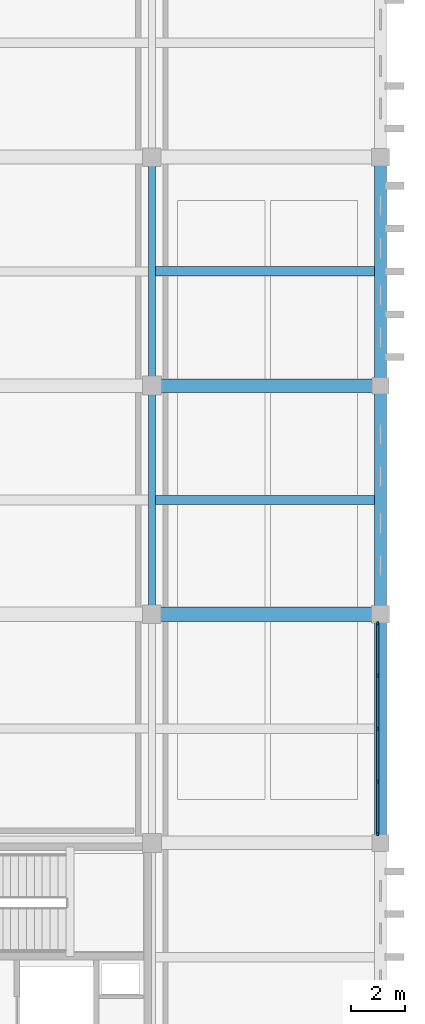
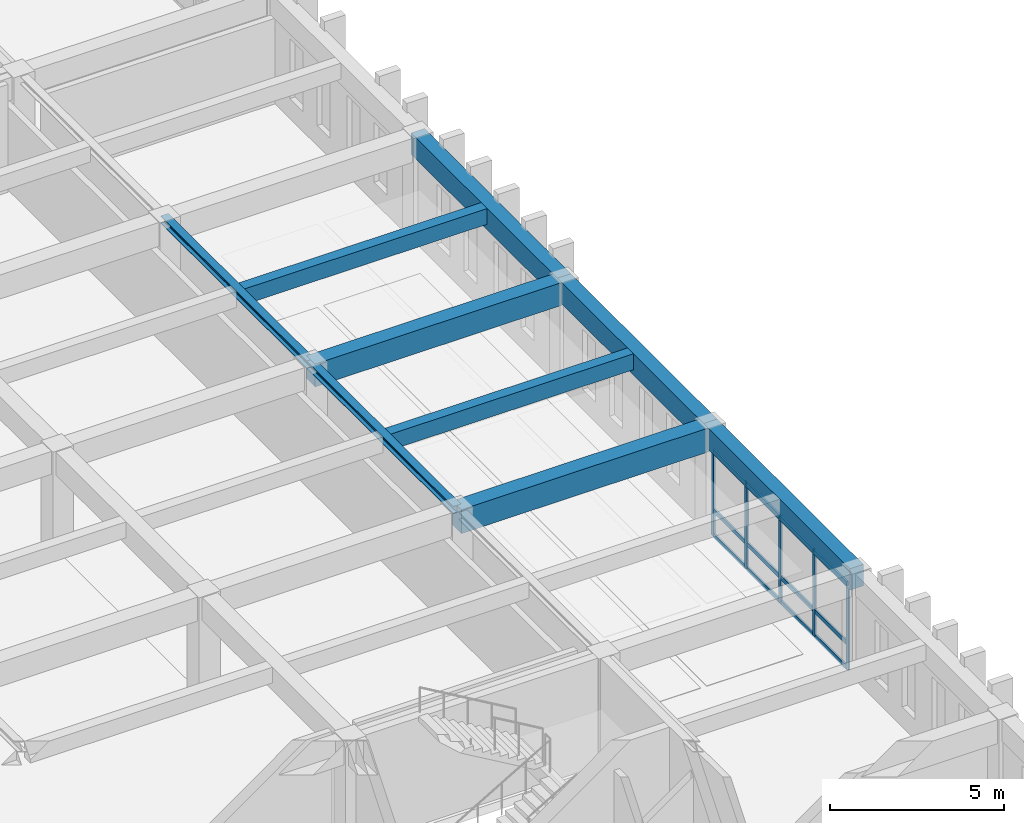
# One storey, part 48 of 110: 17 members, 9 beams, 1 element without a shape of its own.
"""IFC4 building model written with IfcOpenShell, lengths in metres."""

from ifc_helpers import new_model, si_unit, direction, frame, origin, origin_2d, place, context, subcontext, project, spatial, rectangle, i_section, extrude, material, layer, layer_set, material_profile, profile_set, type_object, element, aggregate, save


model = new_model("IFC4")

# Units and contexts
model_context = context("Model", 3, precision=1e-05, world=origin(), true_north=direction((0.0, 1.0)))
body_context = subcontext(model_context, "Body", "Model", "MODEL_VIEW")
ifc_project = project(units=[si_unit("LENGTHUNIT", "METRE"), si_unit("AREAUNIT", "SQUARE_METRE"), si_unit("VOLUMEUNIT", "CUBIC_METRE"), si_unit("PLANEANGLEUNIT", "RADIAN"), si_unit("MASSUNIT", "GRAM", prefix="KILO")], contexts=[model_context])

# Site, building, storey
site_placement = place(None, origin())
site = spatial("IfcSite", under=ifc_project, at=site_placement, CompositionType="ELEMENT")
building_placement = place(site_placement, origin())
building = spatial("IfcBuilding", under=site, at=building_placement, Name="Kveldsbrygga Polytechnic", CompositionType="ELEMENT")
storey_placement = place(building_placement, frame((0.0, 0.0, 9.860107421875)))
storey = spatial("IfcBuildingStorey", under=building, at=storey_placement, Name="L02", CompositionType="ELEMENT", Elevation=9.860107421875)

# Beams
ifc_material_1 = material(Name="Concrete C35/45", Category="concrete")
ifc_material_profile_1 = material_profile(ifc_material_1, rectangle(XDim=0.449951171875, YDim=0.75, at=origin_2d()), Name="RC 450x750")
ifc_profile_set_1 = profile_set([ifc_material_profile_1], Name="Concrete C35/45")
beam_type_1 = type_object("IfcBeamType", Name="BM-RC-450x750", PredefinedType="BEAM", material=ifc_profile_set_1)
beam_1_placement = place(storey_placement, frame((168.0, 42.0, 3.375), z_axis=(0.0, 1.0, 0.0), x_axis=(-1.0, 0.0, 0.0)))
element("IfcBeam", 1, at=beam_1_placement, inside=storey, type_object=beam_type_1, Name="Primary Beam BMY-L02-20-05to06", PredefinedType="BEAM", context=body_context, shape_type="SweptSolid", body=[
    extrude(rectangle(XDim=0.449951171875, YDim=0.75, at=origin_2d()), origin(), (0.0, 0.0, 1.0), 8.39990234375),
])
beam_2_placement = place(storey_placement, frame((168.0, 50.39990234375, 3.375), z_axis=(0.0, 1.0, 0.0), x_axis=(-1.0, 0.0, 0.0)))
element("IfcBeam", 2, at=beam_2_placement, inside=storey, type_object=beam_type_1, Name="Primary Beam BMY-L02-20-06to07", PredefinedType="BEAM", context=body_context, shape_type="SweptSolid", body=[
    extrude(rectangle(XDim=0.449951171875, YDim=0.75, at=origin_2d()), origin(), (0.0, 0.0, 1.0), 8.400146484375),
])
beam_3_placement = place(storey_placement, frame((168.0, 58.800048828125, 3.375), z_axis=(0.0, 1.0, 0.0), x_axis=(-1.0, 0.0, 0.0)))
element("IfcBeam", 3, at=beam_3_placement, inside=storey, type_object=beam_type_1, Name="Primary Beam BMY-L02-20-07to08", PredefinedType="BEAM", context=body_context, shape_type="SweptSolid", body=[
    extrude(rectangle(XDim=0.449951171875, YDim=0.75, at=origin_2d()), origin(), (0.0, 0.0, 1.0), 8.39990234375),
])
ifc_material_profile_2 = material_profile(ifc_material_1, rectangle(XDim=0.5, YDim=0.800048828125, at=origin_2d()), Name="RC 500x800")
ifc_profile_set_2 = profile_set([ifc_material_profile_2], Name="Concrete C35/45")
beam_type_2 = type_object("IfcBeamType", Name="BM-RC-500x800", PredefinedType="BEAM", material=ifc_profile_set_2)
beam_4_placement = place(storey_placement, frame((159.60009765625, 58.800048828125, 3.349853515625), z_axis=(1.0, 0.0, 0.0), x_axis=(0.0, 1.0, 0.0)))
element("IfcBeam", 4, at=beam_4_placement, inside=storey, type_object=beam_type_2, Name="Primary Beam BMX-L02-19to20-07", PredefinedType="BEAM", context=body_context, shape_type="SweptSolid", body=[
    extrude(rectangle(XDim=0.5, YDim=0.800048828125, at=origin_2d()), origin(), (0.0, 0.0, 1.0), 8.39990234375),
])
ifc_material_profile_3 = material_profile(ifc_material_1, rectangle(XDim=0.52001953125, YDim=0.840087890625, at=origin_2d()), Name="RC 520x840")
ifc_profile_set_3 = profile_set([ifc_material_profile_3], Name="Concrete C35/45")
beam_type_3 = type_object("IfcBeamType", Name="BM-RC-520x840", PredefinedType="BEAM", material=ifc_profile_set_3)
beam_5_placement = place(storey_placement, frame((159.60009765625, 50.39990234375, 3.329833984375), z_axis=(1.0, 0.0, 0.0), x_axis=(0.0, 1.0, 0.0)))
element("IfcBeam", 5, at=beam_5_placement, inside=storey, type_object=beam_type_3, Name="Primary Beam BMX-L02-19to20-06", PredefinedType="BEAM", context=body_context, shape_type="SweptSolid", body=[
    extrude(rectangle(XDim=0.52001953125, YDim=0.840087890625, at=origin_2d()), origin(), (0.0, 0.0, 1.0), 8.39990234375),
])
ifc_material_2 = material(Name="Steel S355", Category="steel")
ifc_material_profile_4 = material_profile(ifc_material_2, i_section(OverallWidth=0.260009765625, OverallDepth=0.260009765625, WebThickness=0.010009765625, FlangeThickness=0.017578125, FilletRadius=0.02392578125, at=origin_2d()), Name="HEB 260")
ifc_profile_set_4 = profile_set([ifc_material_profile_4], Name="Steel S355")
beam_type_4 = type_object("IfcBeamType", Name="BM-STL-HEB260", PredefinedType="BEAM", material=ifc_profile_set_4)
beam_6_placement = place(storey_placement, frame((159.60009765625, 50.39990234375, 3.619873046875), z_axis=(0.0, 1.0, 0.0), x_axis=(-1.0, 0.0, 0.0)))
element("IfcBeam", 6, at=beam_6_placement, inside=storey, type_object=beam_type_4, Name="Primary Beam BMY-L02-19-06to07", PredefinedType="BEAM", context=body_context, shape_type="SweptSolid", body=[
    extrude(i_section(OverallWidth=0.260009765625, OverallDepth=0.260009765625, WebThickness=0.010009765625, FlangeThickness=0.017578125, FilletRadius=0.02392578125, at=origin_2d()), origin(), (0.0, 0.0, 1.0), 8.400146484375),
])
beam_7_placement = place(storey_placement, frame((159.60009765625, 58.800048828125, 3.619873046875), z_axis=(0.0, 1.0, 0.0), x_axis=(-1.0, 0.0, 0.0)))
element("IfcBeam", 7, at=beam_7_placement, inside=storey, type_object=beam_type_4, Name="Primary Beam BMY-L02-19-07to08", PredefinedType="BEAM", context=body_context, shape_type="SweptSolid", body=[
    extrude(i_section(OverallWidth=0.260009765625, OverallDepth=0.260009765625, WebThickness=0.010009765625, FlangeThickness=0.017578125, FilletRadius=0.02392578125, at=origin_2d()), origin(), (0.0, 0.0, 1.0), 8.39990234375),
])

# Curtain wall, members
ifc_material_3 = material(Name="Anodised aluminium AW-6060", Category="aluminium")
ifc_layer = layer(ifc_material_3, 0.199951171875)
ifc_layer_set = layer_set([ifc_layer], Name="Anodised aluminium AW-6060")
curtain_wall_type = type_object("IfcCurtainWallType", Name="CW-LANC-E", PredefinedType="USERDEFINED", material=ifc_layer_set)
curtain_wall_placement = place(storey_placement, origin())
curtain_wall = element("IfcCurtainWall", 8, at=curtain_wall_placement, inside=storey, type_object=curtain_wall_type, Name="Curtain Wall CW-L02-Y-20-05", ObjectType="UNITISED CURTAIN WALL", PredefinedType="USERDEFINED")
ifc_material_profile_5 = material_profile(ifc_material_3, rectangle(XDim=0.06005859375, YDim=0.139892578125, at=origin_2d()), Name="ALU 60x140")
ifc_profile_set_5 = profile_set([ifc_material_profile_5], Name="Anodised aluminium AW-6060")
member_type_1 = type_object("IfcMemberType", Name="CW-MUL-140", PredefinedType="MULLION", material=ifc_profile_set_5)
member_1_placement = place(storey_placement, frame((167.89990234375, 42.324951171875, 0.0), z_axis=(0.0, 0.0, 1.0), x_axis=(-1.0, 0.0, 0.0)))
member_1 = element("IfcMember", 9, at=member_1_placement, type_object=member_type_1, Name="CW-05 mullion 1", PredefinedType="MULLION", context=body_context, shape_type="SweptSolid", body=[
    extrude(rectangle(XDim=0.06005859375, YDim=0.139892578125, at=origin_2d()), origin(), (0.0, 0.0, 1.0), 3.0),
])
member_2_placement = place(storey_placement, frame((167.89990234375, 44.24365234375, 0.0), z_axis=(0.0, 0.0, 1.0), x_axis=(-1.0, 0.0, 0.0)))
member_2 = element("IfcMember", 10, at=member_2_placement, type_object=member_type_1, Name="CW-05 mullion 2", PredefinedType="MULLION", context=body_context, shape_type="SweptSolid", body=[
    extrude(rectangle(XDim=0.06005859375, YDim=0.139892578125, at=origin_2d()), origin(), (0.0, 0.0, 1.0), 3.0),
])
member_3_placement = place(storey_placement, frame((167.89990234375, 46.1923828125, 0.0), z_axis=(0.0, 0.0, 1.0), x_axis=(-1.0, 0.0, 0.0)))
member_3 = element("IfcMember", 11, at=member_3_placement, type_object=member_type_1, Name="CW-05 mullion 3", PredefinedType="MULLION", context=body_context, shape_type="SweptSolid", body=[
    extrude(rectangle(XDim=0.06005859375, YDim=0.139892578125, at=origin_2d()), origin(), (0.0, 0.0, 1.0), 3.0),
])
member_4_placement = place(storey_placement, frame((167.89990234375, 48.141357421875, 0.0), z_axis=(0.0, 0.0, 1.0), x_axis=(-1.0, 0.0, 0.0)))
member_4 = element("IfcMember", 12, at=member_4_placement, type_object=member_type_1, Name="CW-05 mullion 4", PredefinedType="MULLION", context=body_context, shape_type="SweptSolid", body=[
    extrude(rectangle(XDim=0.06005859375, YDim=0.139892578125, at=origin_2d()), origin(), (0.0, 0.0, 1.0), 3.0),
])
member_5_placement = place(storey_placement, frame((167.89990234375, 50.06005859375, 0.0), z_axis=(0.0, 0.0, 1.0), x_axis=(-1.0, 0.0, 0.0)))
member_5 = element("IfcMember", 13, at=member_5_placement, type_object=member_type_1, Name="CW-05 mullion 5", PredefinedType="MULLION", context=body_context, shape_type="SweptSolid", body=[
    extrude(rectangle(XDim=0.06005859375, YDim=0.139892578125, at=origin_2d()), origin(), (0.0, 0.0, 1.0), 3.0),
])
ifc_material_profile_6 = material_profile(ifc_material_3, rectangle(XDim=0.06005859375, YDim=0.14990234375, at=origin_2d()), Name="ALU 60x150")
ifc_profile_set_6 = profile_set([ifc_material_profile_6], Name="Anodised aluminium AW-6060")
member_type_2 = type_object("IfcMemberType", Name="CW-TRN-150", PredefinedType="USERDEFINED", material=ifc_profile_set_6)
member_6_placement = place(storey_placement, frame((167.89990234375, 42.35498046875, 0.02978515625), z_axis=(0.0, 1.0, 0.0), x_axis=(-1.0, 0.0, 0.0)))
member_6 = element("IfcMember", 14, at=member_6_placement, type_object=member_type_2, Name="CW-05 transom 1.1", ObjectType="TRANSOM", PredefinedType="USERDEFINED", context=body_context, shape_type="SweptSolid", body=[
    extrude(rectangle(XDim=0.06005859375, YDim=0.14990234375, at=origin_2d()), origin(), (0.0, 0.0, 1.0), 1.85888671875),
])
member_7_placement = place(storey_placement, frame((167.89990234375, 42.35498046875, 0.89990234375), z_axis=(0.0, 1.0, 0.0), x_axis=(-1.0, 0.0, 0.0)))
member_7 = element("IfcMember", 15, at=member_7_placement, type_object=member_type_2, Name="CW-05 transom 1.2", ObjectType="TRANSOM", PredefinedType="USERDEFINED", context=body_context, shape_type="SweptSolid", body=[
    extrude(rectangle(XDim=0.06005859375, YDim=0.14990234375, at=origin_2d()), origin(), (0.0, 0.0, 1.0), 1.85888671875),
])
member_8_placement = place(storey_placement, frame((167.89990234375, 42.35498046875, 2.969970703125), z_axis=(0.0, 1.0, 0.0), x_axis=(-1.0, 0.0, 0.0)))
member_8 = element("IfcMember", 16, at=member_8_placement, type_object=member_type_2, Name="CW-05 transom 1.3", ObjectType="TRANSOM", PredefinedType="USERDEFINED", context=body_context, shape_type="SweptSolid", body=[
    extrude(rectangle(XDim=0.06005859375, YDim=0.14990234375, at=origin_2d()), origin(), (0.0, 0.0, 1.0), 1.85888671875),
])
member_9_placement = place(storey_placement, frame((167.89990234375, 44.273681640625, 0.02978515625), z_axis=(0.0, 1.0, 0.0), x_axis=(-1.0, 0.0, 0.0)))
member_9 = element("IfcMember", 17, at=member_9_placement, type_object=member_type_2, Name="CW-05 transom 2.1", ObjectType="TRANSOM", PredefinedType="USERDEFINED", context=body_context, shape_type="SweptSolid", body=[
    extrude(rectangle(XDim=0.06005859375, YDim=0.14990234375, at=origin_2d()), origin(), (0.0, 0.0, 1.0), 1.888916015625),
])
member_10_placement = place(storey_placement, frame((167.89990234375, 44.273681640625, 0.89990234375), z_axis=(0.0, 1.0, 0.0), x_axis=(-1.0, 0.0, 0.0)))
member_10 = element("IfcMember", 18, at=member_10_placement, type_object=member_type_2, Name="CW-05 transom 2.2", ObjectType="TRANSOM", PredefinedType="USERDEFINED", context=body_context, shape_type="SweptSolid", body=[
    extrude(rectangle(XDim=0.06005859375, YDim=0.14990234375, at=origin_2d()), origin(), (0.0, 0.0, 1.0), 1.888916015625),
])
member_11_placement = place(storey_placement, frame((167.89990234375, 44.273681640625, 2.969970703125), z_axis=(0.0, 1.0, 0.0), x_axis=(-1.0, 0.0, 0.0)))
member_11 = element("IfcMember", 19, at=member_11_placement, type_object=member_type_2, Name="CW-05 transom 2.3", ObjectType="TRANSOM", PredefinedType="USERDEFINED", context=body_context, shape_type="SweptSolid", body=[
    extrude(rectangle(XDim=0.06005859375, YDim=0.14990234375, at=origin_2d()), origin(), (0.0, 0.0, 1.0), 1.888916015625),
])
member_12_placement = place(storey_placement, frame((167.89990234375, 46.222412109375, 0.02978515625), z_axis=(0.0, 1.0, 0.0), x_axis=(-1.0, 0.0, 0.0)))
member_12 = element("IfcMember", 20, at=member_12_placement, type_object=member_type_2, Name="CW-05 transom 3.1", ObjectType="TRANSOM", PredefinedType="USERDEFINED", context=body_context, shape_type="SweptSolid", body=[
    extrude(rectangle(XDim=0.06005859375, YDim=0.14990234375, at=origin_2d()), origin(), (0.0, 0.0, 1.0), 1.888916015625),
])
member_13_placement = place(storey_placement, frame((167.89990234375, 46.222412109375, 0.89990234375), z_axis=(0.0, 1.0, 0.0), x_axis=(-1.0, 0.0, 0.0)))
member_13 = element("IfcMember", 21, at=member_13_placement, type_object=member_type_2, Name="CW-05 transom 3.2", ObjectType="TRANSOM", PredefinedType="USERDEFINED", context=body_context, shape_type="SweptSolid", body=[
    extrude(rectangle(XDim=0.06005859375, YDim=0.14990234375, at=origin_2d()), origin(), (0.0, 0.0, 1.0), 1.888916015625),
])
member_14_placement = place(storey_placement, frame((167.89990234375, 46.222412109375, 2.969970703125), z_axis=(0.0, 1.0, 0.0), x_axis=(-1.0, 0.0, 0.0)))
member_14 = element("IfcMember", 22, at=member_14_placement, type_object=member_type_2, Name="CW-05 transom 3.3", ObjectType="TRANSOM", PredefinedType="USERDEFINED", context=body_context, shape_type="SweptSolid", body=[
    extrude(rectangle(XDim=0.06005859375, YDim=0.14990234375, at=origin_2d()), origin(), (0.0, 0.0, 1.0), 1.888916015625),
])
member_15_placement = place(storey_placement, frame((167.89990234375, 48.171142578125, 0.02978515625), z_axis=(0.0, 1.0, 0.0), x_axis=(-1.0, 0.0, 0.0)))
member_15 = element("IfcMember", 23, at=member_15_placement, type_object=member_type_2, Name="CW-05 transom 4.1", ObjectType="TRANSOM", PredefinedType="USERDEFINED", context=body_context, shape_type="SweptSolid", body=[
    extrude(rectangle(XDim=0.06005859375, YDim=0.14990234375, at=origin_2d()), origin(), (0.0, 0.0, 1.0), 1.85888671875),
])
member_16_placement = place(storey_placement, frame((167.89990234375, 48.171142578125, 0.89990234375), z_axis=(0.0, 1.0, 0.0), x_axis=(-1.0, 0.0, 0.0)))
member_16 = element("IfcMember", 24, at=member_16_placement, type_object=member_type_2, Name="CW-05 transom 4.2", ObjectType="TRANSOM", PredefinedType="USERDEFINED", context=body_context, shape_type="SweptSolid", body=[
    extrude(rectangle(XDim=0.06005859375, YDim=0.14990234375, at=origin_2d()), origin(), (0.0, 0.0, 1.0), 1.85888671875),
])
member_17_placement = place(storey_placement, frame((167.89990234375, 48.171142578125, 2.969970703125), z_axis=(0.0, 1.0, 0.0), x_axis=(-1.0, 0.0, 0.0)))
member_17 = element("IfcMember", 25, at=member_17_placement, type_object=member_type_2, Name="CW-05 transom 4.3", ObjectType="TRANSOM", PredefinedType="USERDEFINED", context=body_context, shape_type="SweptSolid", body=[
    extrude(rectangle(XDim=0.06005859375, YDim=0.14990234375, at=origin_2d()), origin(), (0.0, 0.0, 1.0), 1.85888671875),
])
aggregate(curtain_wall, [member_1, member_2, member_3, member_4, member_5, member_6, member_7, member_8, member_9, member_10, member_11, member_12, member_13, member_14, member_15, member_16, member_17])

# Beams
ifc_material_profile_7 = material_profile(ifc_material_1, rectangle(XDim=0.340087890625, YDim=0.56005859375, at=origin_2d()), Name="RC 340x560")
ifc_profile_set_7 = profile_set([ifc_material_profile_7], Name="Concrete C35/45")
beam_type_5 = type_object("IfcBeamType", Name="JST-RC-340x560", PredefinedType="JOIST", material=ifc_profile_set_7)
beam_8_placement = place(storey_placement, frame((159.72998046875, 54.60009765625, 3.469970703125), z_axis=(1.0, 0.0, 0.0), x_axis=(0.0, 1.0, 0.0)))
element("IfcBeam", 26, at=beam_8_placement, inside=storey, type_object=beam_type_5, Name="Secondary Joist JST-L02-19-06", PredefinedType="JOIST", context=body_context, shape_type="SweptSolid", body=[
    extrude(rectangle(XDim=0.340087890625, YDim=0.56005859375, at=origin_2d()), origin(), (0.0, 0.0, 1.0), 8.044921875),
])
ifc_material_profile_8 = material_profile(ifc_material_1, rectangle(XDim=0.35009765625, YDim=0.550048828125, at=origin_2d()), Name="RC 350x550")
ifc_profile_set_8 = profile_set([ifc_material_profile_8], Name="Concrete C35/45")
beam_type_6 = type_object("IfcBeamType", Name="JST-RC-350x550", PredefinedType="JOIST", material=ifc_profile_set_8)
beam_9_placement = place(storey_placement, frame((159.72998046875, 63.0, 3.474853515625), z_axis=(1.0, 0.0, 0.0), x_axis=(0.0, 1.0, 0.0)))
element("IfcBeam", 27, at=beam_9_placement, inside=storey, type_object=beam_type_6, Name="Secondary Joist JST-L02-19-07", PredefinedType="JOIST", context=body_context, shape_type="SweptSolid", body=[
    extrude(rectangle(XDim=0.35009765625, YDim=0.550048828125, at=origin_2d()), origin(), (0.0, 0.0, 1.0), 8.044921875),
])

save(model, "model.ifc")
